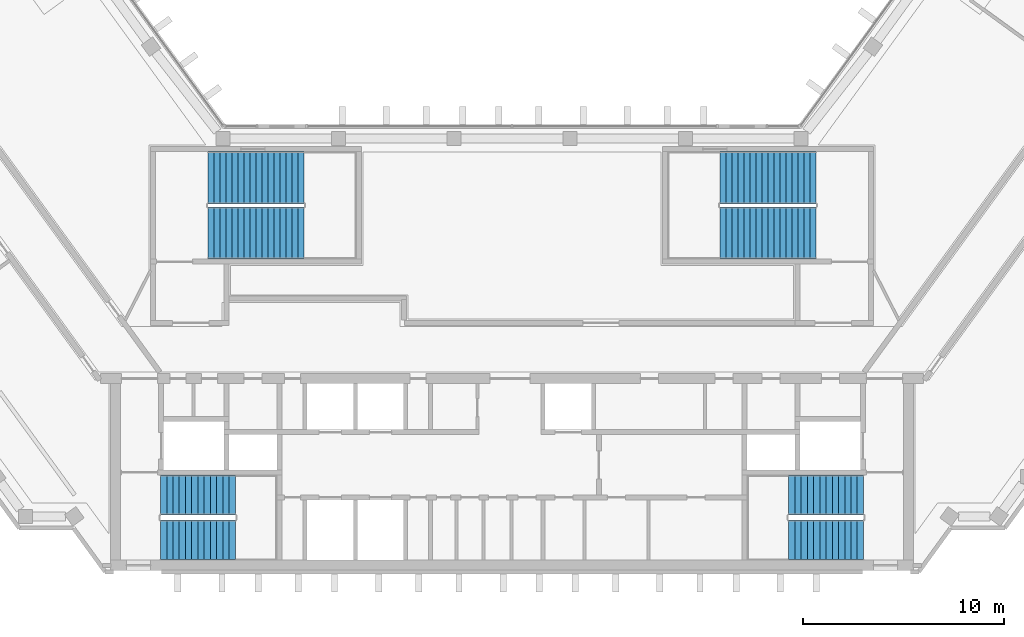
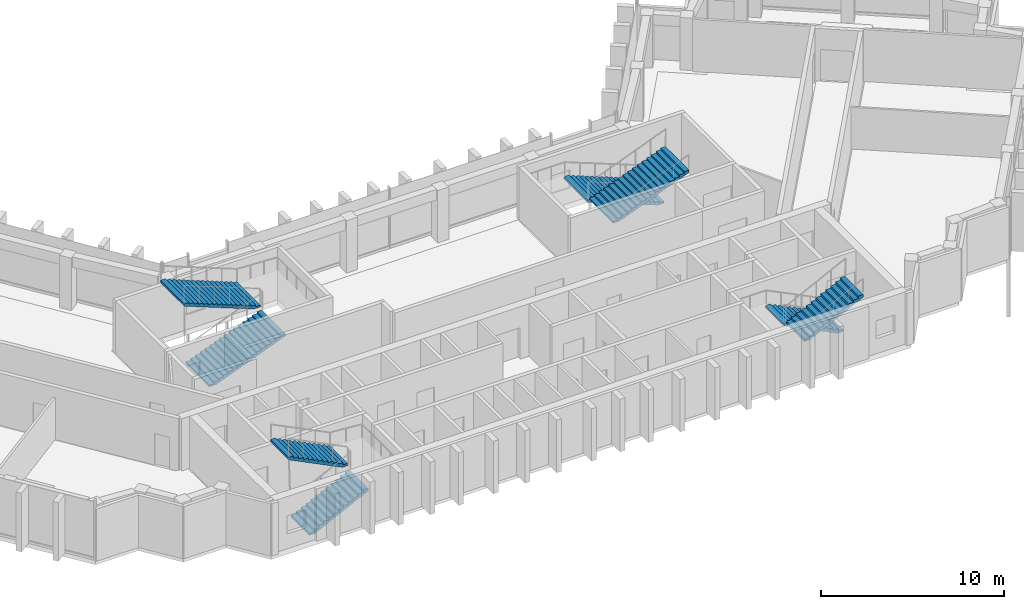
# One storey, part 11 of 13: 8 stair flights, 4 elements without a shape of their own.
"""IFC4 building model written with IfcOpenShell, lengths in metres."""

from ifc_helpers import new_model, si_unit, direction, frame, origin, place, context, subcontext, project, spatial, polyline, outline, extrude, material, type_object, element, aggregate, save


model = new_model("IFC4")

# Units and contexts
model_context = context("Model", 3, precision=1e-05, world=origin(), true_north=direction((0.0, 1.0)))
body_context = subcontext(model_context, "Body", "Model", "MODEL_VIEW")
ifc_project = project(units=[si_unit("LENGTHUNIT", "METRE"), si_unit("AREAUNIT", "SQUARE_METRE"), si_unit("VOLUMEUNIT", "CUBIC_METRE"), si_unit("PLANEANGLEUNIT", "RADIAN"), si_unit("MASSUNIT", "GRAM", prefix="KILO")], contexts=[model_context])

# Site, building, storey
site_placement = place(None, origin())
site = spatial("IfcSite", under=ifc_project, at=site_placement, CompositionType="ELEMENT")
building_placement = place(site_placement, origin())
building = spatial("IfcBuilding", under=site, at=building_placement, Name="Quipu Civic Tower", CompositionType="ELEMENT")
storey_placement = place(building_placement, frame((0.0, 0.0, 269.0)))
storey = spatial("IfcBuildingStorey", under=building, at=storey_placement, Name="L63", CompositionType="ELEMENT", Elevation=269.0)

# Stair, stair flights
ifc_material_1 = material(Name="Concrete C40/50", Category="concrete")
stair_type_1 = type_object("IfcStairType", Name="Half turn stair 2000", PredefinedType="HALF_TURN_STAIR", material=ifc_material_1)
stair_1_placement = place(storey_placement, origin())
stair_1 = element("IfcStair", 1, at=stair_1_placement, inside=storey, type_object=stair_type_1, Name="Exit stair 1", PredefinedType="HALF_TURN_STAIR")
ifc_material_2 = material(Name="Concrete C40/50", Category="concrete")
stair_flight_type_1 = type_object("IfcStairFlightType", Name="Stair flight 2000", PredefinedType="STRAIGHT", material=ifc_material_2)
stair_flight_1_placement = place(storey_placement, frame((-17.5, -9.5, 0.0), z_axis=(0.0, 0.0, 1.0), x_axis=(1.0, 0.0, 0.0)))
stair_flight_1 = element("IfcStairFlight", 2, at=stair_flight_1_placement, type_object=stair_flight_type_1, Name="ST-1 flight 1", NumberOfRisers=13, NumberOfTreads=12, PredefinedType="STRAIGHT", RiserHeight=0.153846154, TreadLength=0.31, context=body_context, shape_type="SweptSolid", body=[
    extrude(outline(polyline([(0.0, 0.0), (0.0, 0.15380859375), (0.31005859375, 0.15380859375), (0.31005859375, 0.3076171875), (0.6201171875, 0.3076171875), (0.6201171875, 0.46142578125), (0.929931640625, 0.46142578125), (0.929931640625, 0.615478515625), (1.239990234375, 0.615478515625), (1.239990234375, 0.769287109375), (1.550048828125, 0.769287109375), (1.550048828125, 0.923095703125), (1.860107421875, 0.923095703125), (1.860107421875, 1.076904296875), (2.169921875, 1.076904296875), (2.169921875, 1.230712890625), (2.47998046875, 1.230712890625), (2.47998046875, 1.384521484375), (2.7900390625, 1.384521484375), (2.7900390625, 1.53857421875), (3.10009765625, 1.53857421875), (3.10009765625, 1.6923828125), (3.409912109375, 1.6923828125), (3.409912109375, 1.84619140625), (3.719970703125, 1.84619140625), (3.719970703125, 2.0), (3.719970703125, 1.6787109375), (0.337158203125, 0.0), (0.0, 0.0)])), frame((0.0, 1.0, 0.0), z_axis=(0.0, -1.0, 0.0), x_axis=(1.0, 0.0, 0.0)), (0.0, 0.0, 1.0), 2.0),
])
stair_flight_2_placement = place(storey_placement, frame((-13.780029296875, -7.25, 2.0), z_axis=(0.0, 0.0, 1.0), x_axis=(-1.0, 0.0, 0.0)))
stair_flight_2 = element("IfcStairFlight", 3, at=stair_flight_2_placement, type_object=stair_flight_type_1, Name="ST-1 flight 2", NumberOfRisers=13, NumberOfTreads=12, PredefinedType="STRAIGHT", RiserHeight=0.153846154, TreadLength=0.31, context=body_context, shape_type="SweptSolid", body=[
    extrude(outline(polyline([(0.0, 0.0), (0.0, 0.15380859375), (0.31005859375, 0.15380859375), (0.31005859375, 0.3076171875), (0.6201171875, 0.3076171875), (0.6201171875, 0.46142578125), (0.929931640625, 0.46142578125), (0.929931640625, 0.615478515625), (1.239990234375, 0.615478515625), (1.239990234375, 0.769287109375), (1.550048828125, 0.769287109375), (1.550048828125, 0.923095703125), (1.860107421875, 0.923095703125), (1.860107421875, 1.076904296875), (2.169921875, 1.076904296875), (2.169921875, 1.230712890625), (2.47998046875, 1.230712890625), (2.47998046875, 1.384521484375), (2.7900390625, 1.384521484375), (2.7900390625, 1.53857421875), (3.10009765625, 1.53857421875), (3.10009765625, 1.6923828125), (3.409912109375, 1.6923828125), (3.409912109375, 1.84619140625), (3.719970703125, 1.84619140625), (3.719970703125, 2.0), (3.719970703125, 1.6787109375), (0.337158203125, 0.0), (0.0, 0.0)])), frame((0.0, 1.0, 0.0), z_axis=(0.0, -1.0, 0.0), x_axis=(1.0, 0.0, 0.0)), (0.0, 0.0, 1.0), 2.0),
])
aggregate(stair_1, [stair_flight_1, stair_flight_2])

stair_2_placement = place(storey_placement, origin())
stair_2 = element("IfcStair", 4, at=stair_2_placement, inside=storey, type_object=stair_type_1, Name="Exit stair 2", PredefinedType="HALF_TURN_STAIR")
stair_flight_3_placement = place(storey_placement, frame((17.5, -7.25, 0.0), z_axis=(0.0, 0.0, 1.0), x_axis=(-1.0, 0.0, 0.0)))
stair_flight_3 = element("IfcStairFlight", 5, at=stair_flight_3_placement, type_object=stair_flight_type_1, Name="ST-2 flight 1", NumberOfRisers=13, NumberOfTreads=12, PredefinedType="STRAIGHT", RiserHeight=0.153846154, TreadLength=0.31, context=body_context, shape_type="SweptSolid", body=[
    extrude(outline(polyline([(0.0, 0.0), (0.0, 0.15380859375), (0.31005859375, 0.15380859375), (0.31005859375, 0.3076171875), (0.6201171875, 0.3076171875), (0.6201171875, 0.46142578125), (0.929931640625, 0.46142578125), (0.929931640625, 0.615478515625), (1.239990234375, 0.615478515625), (1.239990234375, 0.769287109375), (1.550048828125, 0.769287109375), (1.550048828125, 0.923095703125), (1.860107421875, 0.923095703125), (1.860107421875, 1.076904296875), (2.169921875, 1.076904296875), (2.169921875, 1.230712890625), (2.47998046875, 1.230712890625), (2.47998046875, 1.384521484375), (2.7900390625, 1.384521484375), (2.7900390625, 1.53857421875), (3.10009765625, 1.53857421875), (3.10009765625, 1.6923828125), (3.409912109375, 1.6923828125), (3.409912109375, 1.84619140625), (3.719970703125, 1.84619140625), (3.719970703125, 2.0), (3.719970703125, 1.6787109375), (0.337158203125, 0.0), (0.0, 0.0)])), frame((0.0, 1.0, 0.0), z_axis=(0.0, -1.0, 0.0), x_axis=(1.0, 0.0, 0.0)), (0.0, 0.0, 1.0), 2.0),
])
stair_flight_4_placement = place(storey_placement, frame((13.780029296875, -9.5, 2.0), z_axis=(0.0, 0.0, 1.0), x_axis=(1.0, 0.0, 0.0)))
stair_flight_4 = element("IfcStairFlight", 6, at=stair_flight_4_placement, type_object=stair_flight_type_1, Name="ST-2 flight 2", NumberOfRisers=13, NumberOfTreads=12, PredefinedType="STRAIGHT", RiserHeight=0.153846154, TreadLength=0.31, context=body_context, shape_type="SweptSolid", body=[
    extrude(outline(polyline([(0.0, 0.0), (0.0, 0.15380859375), (0.31005859375, 0.15380859375), (0.31005859375, 0.3076171875), (0.6201171875, 0.3076171875), (0.6201171875, 0.46142578125), (0.929931640625, 0.46142578125), (0.929931640625, 0.615478515625), (1.239990234375, 0.615478515625), (1.239990234375, 0.769287109375), (1.550048828125, 0.769287109375), (1.550048828125, 0.923095703125), (1.860107421875, 0.923095703125), (1.860107421875, 1.076904296875), (2.169921875, 1.076904296875), (2.169921875, 1.230712890625), (2.47998046875, 1.230712890625), (2.47998046875, 1.384521484375), (2.7900390625, 1.384521484375), (2.7900390625, 1.53857421875), (3.10009765625, 1.53857421875), (3.10009765625, 1.6923828125), (3.409912109375, 1.6923828125), (3.409912109375, 1.84619140625), (3.719970703125, 1.84619140625), (3.719970703125, 2.0), (3.719970703125, 1.6787109375), (0.337158203125, 0.0), (0.0, 0.0)])), frame((0.0, 1.0, 0.0), z_axis=(0.0, -1.0, 0.0), x_axis=(1.0, 0.0, 0.0)), (0.0, 0.0, 1.0), 2.0),
])
aggregate(stair_2, [stair_flight_3, stair_flight_4])

ifc_material_3 = material(Name="Concrete C40/50", Category="concrete")
stair_type_2 = type_object("IfcStairType", Name="Half turn stair 2600", PredefinedType="HALF_TURN_STAIR", material=ifc_material_3)
stair_3_placement = place(storey_placement, origin())
stair_3 = element("IfcStair", 7, at=stair_3_placement, inside=storey, type_object=stair_type_2, Name="Exit stair 3", PredefinedType="HALF_TURN_STAIR")
ifc_material_4 = material(Name="Concrete C40/50", Category="concrete")
stair_flight_type_2 = type_object("IfcStairFlightType", Name="Stair flight 2600", PredefinedType="STRAIGHT", material=ifc_material_4)
stair_flight_5_placement = place(storey_placement, frame((-15.14990234375, 5.800048828125, 0.0), z_axis=(0.0, 0.0, 1.0), x_axis=(1.0, 0.0, 0.0)))
stair_flight_5 = element("IfcStairFlight", 8, at=stair_flight_5_placement, type_object=stair_flight_type_2, Name="ST-3 flight 1", NumberOfRisers=17, NumberOfTreads=16, PredefinedType="STRAIGHT", RiserHeight=0.117647059, TreadLength=0.3, context=body_context, shape_type="SweptSolid", body=[
    extrude(outline(polyline([(0.0, 0.0), (0.0, 0.11767578125), (0.300048828125, 0.11767578125), (0.300048828125, 0.2353515625), (0.60009765625, 0.2353515625), (0.60009765625, 0.35302734375), (0.89990234375, 0.35302734375), (0.89990234375, 0.470703125), (1.199951171875, 0.470703125), (1.199951171875, 0.588134765625), (1.5, 0.588134765625), (1.5, 0.705810546875), (1.800048828125, 0.705810546875), (1.800048828125, 0.823486328125), (2.10009765625, 0.823486328125), (2.10009765625, 0.941162109375), (2.39990234375, 0.941162109375), (2.39990234375, 1.058837890625), (2.699951171875, 1.058837890625), (2.699951171875, 1.176513671875), (3.0, 1.176513671875), (3.0, 1.294189453125), (3.300048828125, 1.294189453125), (3.300048828125, 1.411865234375), (3.60009765625, 1.411865234375), (3.60009765625, 1.529296875), (3.89990234375, 1.529296875), (3.89990234375, 1.64697265625), (4.199951171875, 1.64697265625), (4.199951171875, 1.7646484375), (4.5, 1.7646484375), (4.5, 1.88232421875), (4.800048828125, 1.88232421875), (4.800048828125, 2.0), (4.800048828125, 1.721435546875), (0.41064453125, 0.0), (0.0, 0.0)])), frame((0.0, 1.300048828125, 0.0), z_axis=(0.0, -1.0, 0.0), x_axis=(1.0, 0.0, 0.0)), (0.0, 0.0, 1.0), 2.60009765625),
])
stair_flight_6_placement = place(storey_placement, frame((-10.35009765625, 8.550048828125, 2.0), z_axis=(0.0, 0.0, 1.0), x_axis=(-1.0, 0.0, 0.0)))
stair_flight_6 = element("IfcStairFlight", 9, at=stair_flight_6_placement, type_object=stair_flight_type_2, Name="ST-3 flight 2", NumberOfRisers=17, NumberOfTreads=16, PredefinedType="STRAIGHT", RiserHeight=0.117647059, TreadLength=0.3, context=body_context, shape_type="SweptSolid", body=[
    extrude(outline(polyline([(0.0, 0.0), (0.0, 0.11767578125), (0.300048828125, 0.11767578125), (0.300048828125, 0.2353515625), (0.60009765625, 0.2353515625), (0.60009765625, 0.35302734375), (0.89990234375, 0.35302734375), (0.89990234375, 0.470703125), (1.199951171875, 0.470703125), (1.199951171875, 0.588134765625), (1.5, 0.588134765625), (1.5, 0.705810546875), (1.800048828125, 0.705810546875), (1.800048828125, 0.823486328125), (2.10009765625, 0.823486328125), (2.10009765625, 0.941162109375), (2.39990234375, 0.941162109375), (2.39990234375, 1.058837890625), (2.699951171875, 1.058837890625), (2.699951171875, 1.176513671875), (3.0, 1.176513671875), (3.0, 1.294189453125), (3.300048828125, 1.294189453125), (3.300048828125, 1.411865234375), (3.60009765625, 1.411865234375), (3.60009765625, 1.529296875), (3.89990234375, 1.529296875), (3.89990234375, 1.64697265625), (4.199951171875, 1.64697265625), (4.199951171875, 1.7646484375), (4.5, 1.7646484375), (4.5, 1.88232421875), (4.800048828125, 1.88232421875), (4.800048828125, 2.0), (4.800048828125, 1.721435546875), (0.41064453125, 0.0), (0.0, 0.0)])), frame((0.0, 1.300048828125, 0.0), z_axis=(0.0, -1.0, 0.0), x_axis=(1.0, 0.0, 0.0)), (0.0, 0.0, 1.0), 2.60009765625),
])
aggregate(stair_3, [stair_flight_5, stair_flight_6])

stair_4_placement = place(storey_placement, origin())
stair_4 = element("IfcStair", 10, at=stair_4_placement, inside=storey, type_object=stair_type_2, Name="Exit stair 4", PredefinedType="HALF_TURN_STAIR")
stair_flight_7_placement = place(storey_placement, frame((15.14990234375, 8.550048828125, 0.0), z_axis=(0.0, 0.0, 1.0), x_axis=(-1.0, 0.0, 0.0)))
stair_flight_7 = element("IfcStairFlight", 11, at=stair_flight_7_placement, type_object=stair_flight_type_2, Name="ST-4 flight 1", NumberOfRisers=17, NumberOfTreads=16, PredefinedType="STRAIGHT", RiserHeight=0.117647059, TreadLength=0.3, context=body_context, shape_type="SweptSolid", body=[
    extrude(outline(polyline([(0.0, 0.0), (0.0, 0.11767578125), (0.300048828125, 0.11767578125), (0.300048828125, 0.2353515625), (0.60009765625, 0.2353515625), (0.60009765625, 0.35302734375), (0.89990234375, 0.35302734375), (0.89990234375, 0.470703125), (1.199951171875, 0.470703125), (1.199951171875, 0.588134765625), (1.5, 0.588134765625), (1.5, 0.705810546875), (1.800048828125, 0.705810546875), (1.800048828125, 0.823486328125), (2.10009765625, 0.823486328125), (2.10009765625, 0.941162109375), (2.39990234375, 0.941162109375), (2.39990234375, 1.058837890625), (2.699951171875, 1.058837890625), (2.699951171875, 1.176513671875), (3.0, 1.176513671875), (3.0, 1.294189453125), (3.300048828125, 1.294189453125), (3.300048828125, 1.411865234375), (3.60009765625, 1.411865234375), (3.60009765625, 1.529296875), (3.89990234375, 1.529296875), (3.89990234375, 1.64697265625), (4.199951171875, 1.64697265625), (4.199951171875, 1.7646484375), (4.5, 1.7646484375), (4.5, 1.88232421875), (4.800048828125, 1.88232421875), (4.800048828125, 2.0), (4.800048828125, 1.721435546875), (0.41064453125, 0.0), (0.0, 0.0)])), frame((0.0, 1.300048828125, 0.0), z_axis=(0.0, -1.0, 0.0), x_axis=(1.0, 0.0, 0.0)), (0.0, 0.0, 1.0), 2.60009765625),
])
stair_flight_8_placement = place(storey_placement, frame((10.35009765625, 5.800048828125, 2.0), z_axis=(0.0, 0.0, 1.0), x_axis=(1.0, 0.0, 0.0)))
stair_flight_8 = element("IfcStairFlight", 12, at=stair_flight_8_placement, type_object=stair_flight_type_2, Name="ST-4 flight 2", NumberOfRisers=17, NumberOfTreads=16, PredefinedType="STRAIGHT", RiserHeight=0.117647059, TreadLength=0.3, context=body_context, shape_type="SweptSolid", body=[
    extrude(outline(polyline([(0.0, 0.0), (0.0, 0.11767578125), (0.300048828125, 0.11767578125), (0.300048828125, 0.2353515625), (0.60009765625, 0.2353515625), (0.60009765625, 0.35302734375), (0.89990234375, 0.35302734375), (0.89990234375, 0.470703125), (1.199951171875, 0.470703125), (1.199951171875, 0.588134765625), (1.5, 0.588134765625), (1.5, 0.705810546875), (1.800048828125, 0.705810546875), (1.800048828125, 0.823486328125), (2.10009765625, 0.823486328125), (2.10009765625, 0.941162109375), (2.39990234375, 0.941162109375), (2.39990234375, 1.058837890625), (2.699951171875, 1.058837890625), (2.699951171875, 1.176513671875), (3.0, 1.176513671875), (3.0, 1.294189453125), (3.300048828125, 1.294189453125), (3.300048828125, 1.411865234375), (3.60009765625, 1.411865234375), (3.60009765625, 1.529296875), (3.89990234375, 1.529296875), (3.89990234375, 1.64697265625), (4.199951171875, 1.64697265625), (4.199951171875, 1.7646484375), (4.5, 1.7646484375), (4.5, 1.88232421875), (4.800048828125, 1.88232421875), (4.800048828125, 2.0), (4.800048828125, 1.721435546875), (0.41064453125, 0.0), (0.0, 0.0)])), frame((0.0, 1.300048828125, 0.0), z_axis=(0.0, -1.0, 0.0), x_axis=(1.0, 0.0, 0.0)), (0.0, 0.0, 1.0), 2.60009765625),
])
aggregate(stair_4, [stair_flight_7, stair_flight_8])

save(model, "model.ifc")
